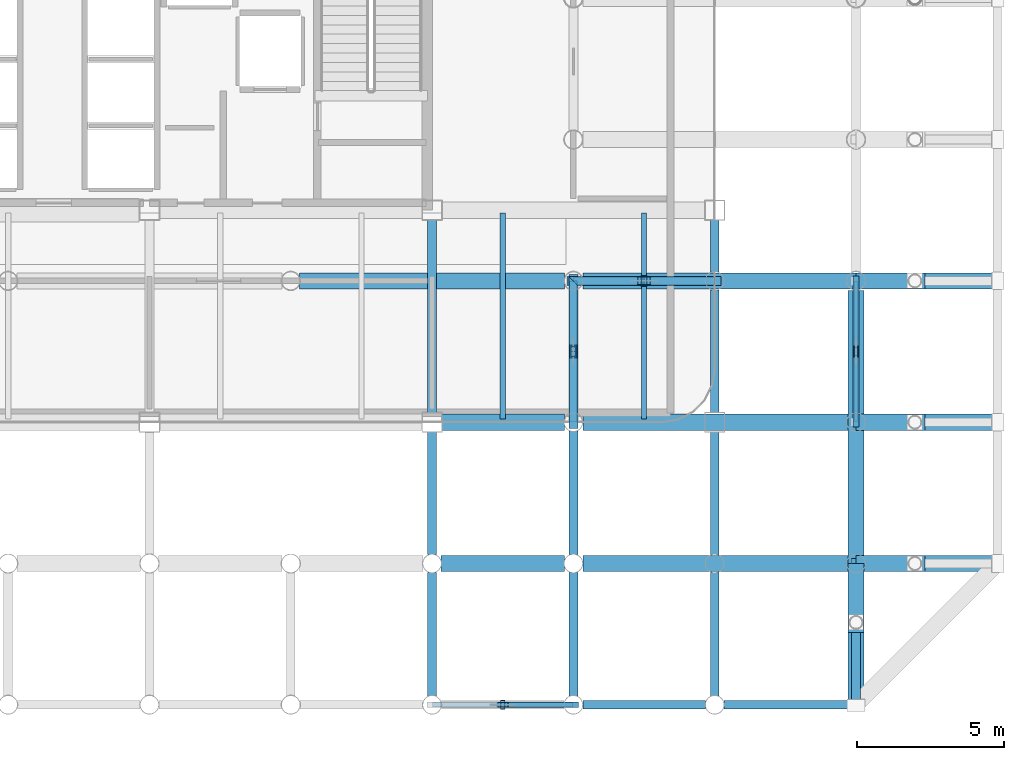
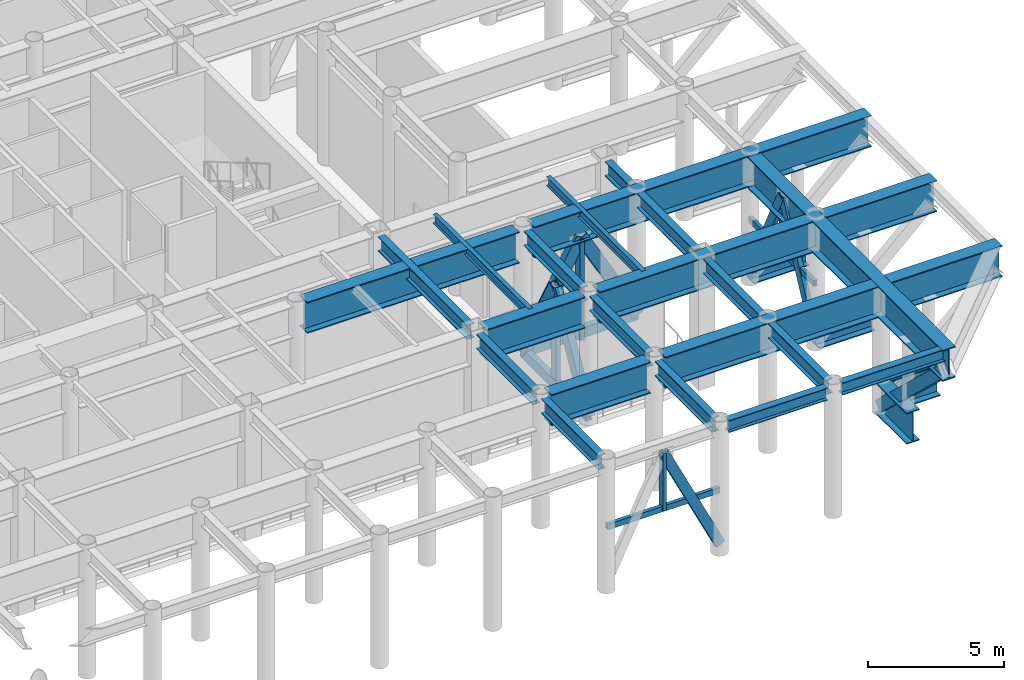
# One storey, part 7 of 20: 25 beams, 16 members.
"""IFC4 building model written with IfcOpenShell, lengths in metres."""

from ifc_helpers import new_model, si_unit, direction, frame, origin, origin_2d, place, context, subcontext, project, spatial, hollow_rectangle, i_section, extrude, material, material_profile, profile_set, type_object, element, save


model = new_model("IFC4")

# Units and contexts
model_context = context("Model", 3, precision=1e-05, world=origin(), true_north=direction((0.0, 1.0)))
body_context = subcontext(model_context, "Body", "Model", "MODEL_VIEW")
ifc_project = project(units=[si_unit("LENGTHUNIT", "METRE"), si_unit("AREAUNIT", "SQUARE_METRE"), si_unit("VOLUMEUNIT", "CUBIC_METRE"), si_unit("PLANEANGLEUNIT", "RADIAN"), si_unit("MASSUNIT", "GRAM", prefix="KILO")], contexts=[model_context])

# Site, building, storey
site_placement = place(None, origin())
site = spatial("IfcSite", under=ifc_project, at=site_placement, CompositionType="ELEMENT")
building_placement = place(site_placement, origin())
building = spatial("IfcBuilding", under=site, at=building_placement, Name="Kallvorn Hotel Tower", CompositionType="ELEMENT")
storey_placement = place(building_placement, frame((0.0, 0.0, 185.5)))
storey = spatial("IfcBuildingStorey", under=building, at=storey_placement, Name="L46", CompositionType="ELEMENT", Elevation=185.5)

# Beams
ifc_material_1 = material(Name="Structural steel S355JR", Category="steel")
ifc_material_profile_1 = material_profile(ifc_material_1, i_section(OverallWidth=0.300048828125, OverallDepth=0.550048828125, WebThickness=0.014892578125, FlangeThickness=0.029052734375, at=origin_2d()), Name="HE 550 B")
ifc_profile_set_1 = profile_set([ifc_material_profile_1], Name="Structural steel S355JR")
beam_type_1 = type_object("IfcBeamType", Name="BM_HE550B", PredefinedType="SPANDREL", material=ifc_profile_set_1)
beam_1_placement = place(storey_placement, frame((19.52001953125, -24.0, 5.544921875), z_axis=(1.0, 0.0, 0.0), x_axis=(0.0, 1.0, 0.0)))
element("IfcBeam", 1, at=beam_1_placement, inside=storey, type_object=beam_type_1, Name="L47 Perimeter Spandrel 169", PredefinedType="SPANDREL", context=body_context, shape_type="SweptSolid", body=[
    extrude(i_section(OverallWidth=0.300048828125, OverallDepth=0.550048828125, WebThickness=0.014892578125, FlangeThickness=0.029052734375, at=origin_2d()), origin(), (0.0, 0.0, 1.0), 4.159912109375),
])
beam_2_placement = place(storey_placement, frame((24.320068359375, -24.0, 5.544921875), z_axis=(1.0, 0.0, 0.0), x_axis=(0.0, 1.0, 0.0)))
element("IfcBeam", 2, at=beam_2_placement, inside=storey, type_object=beam_type_1, Name="L47 Perimeter Spandrel 170", PredefinedType="SPANDREL", context=body_context, shape_type="SweptSolid", body=[
    extrude(i_section(OverallWidth=0.300048828125, OverallDepth=0.550048828125, WebThickness=0.014892578125, FlangeThickness=0.029052734375, at=origin_2d()), origin(), (0.0, 0.0, 1.0), 4.329833984375),
])
ifc_material_2 = material(Name="Structural steel S355JR", Category="steel")
ifc_material_profile_2 = material_profile(ifc_material_2, i_section(OverallWidth=0.300048828125, OverallDepth=0.64990234375, WebThickness=0.01611328125, FlangeThickness=0.031005859375, at=origin_2d()), Name="HE 650 B")
ifc_profile_set_2 = profile_set([ifc_material_profile_2], Name="Structural steel S355JR")
beam_type_2 = type_object("IfcBeamType", Name="BM_HE650B", PredefinedType="BEAM", material=ifc_profile_set_2)
beam_3_placement = place(storey_placement, frame((14.39990234375, -23.695068359375, 5.4951171875), z_axis=(0.0, 1.0, 0.0), x_axis=(-1.0, 0.0, 0.0)))
element("IfcBeam", 3, at=beam_3_placement, inside=storey, type_object=beam_type_2, Name="L47 Primary Y-Girder 131", PredefinedType="BEAM", context=body_context, shape_type="SweptSolid", body=[
    extrude(i_section(OverallWidth=0.300048828125, OverallDepth=0.64990234375, WebThickness=0.01611328125, FlangeThickness=0.031005859375, at=origin_2d()), origin(), (0.0, 0.0, 1.0), 4.190185546875),
])
beam_4_placement = place(storey_placement, frame((14.39990234375, -18.89501953125, 5.4951171875), z_axis=(0.0, 1.0, 0.0), x_axis=(-1.0, 0.0, 0.0)))
element("IfcBeam", 4, at=beam_4_placement, inside=storey, type_object=beam_type_2, Name="L47 Primary Y-Girder 132", PredefinedType="BEAM", context=body_context, shape_type="SweptSolid", body=[
    extrude(i_section(OverallWidth=0.300048828125, OverallDepth=0.64990234375, WebThickness=0.01611328125, FlangeThickness=0.031005859375, at=origin_2d()), origin(), (0.0, 0.0, 1.0), 4.169921875),
])
beam_5_placement = place(storey_placement, frame((14.39990234375, -14.074951171875, 5.4951171875), z_axis=(0.0, 1.0, 0.0), x_axis=(-1.0, 0.0, 0.0)))
element("IfcBeam", 5, at=beam_5_placement, inside=storey, type_object=beam_type_2, Name="L47 Primary Y-Girder 133", PredefinedType="BEAM", context=body_context, shape_type="SweptSolid", body=[
    extrude(i_section(OverallWidth=0.300048828125, OverallDepth=0.64990234375, WebThickness=0.01611328125, FlangeThickness=0.031005859375, at=origin_2d()), origin(), (0.0, 0.0, 1.0), 6.550048828125),
])
beam_6_placement = place(storey_placement, frame((19.199951171875, -23.695068359375, 5.4951171875), z_axis=(0.0, 1.0, 0.0), x_axis=(-1.0, 0.0, 0.0)))
element("IfcBeam", 6, at=beam_6_placement, inside=storey, type_object=beam_type_2, Name="L47 Primary Y-Girder 136", PredefinedType="BEAM", context=body_context, shape_type="SweptSolid", body=[
    extrude(i_section(OverallWidth=0.300048828125, OverallDepth=0.64990234375, WebThickness=0.01611328125, FlangeThickness=0.031005859375, at=origin_2d()), origin(), (0.0, 0.0, 1.0), 4.190185546875),
])
for number, where, z_axis, x_axis, name in (
    (7, (19.199951171875, -18.89501953125, 5.4951171875), (0.0, 1.0, 0.0), (-1.0, 0.0, 0.0), "L47 Primary Y-Girder 137"),
    (8, (19.199951171875, -14.094970703125, 5.4951171875), (0.0, 1.0, 0.0), (-1.0, 0.0, 0.0), "L47 Primary Y-Girder 138"),
):
    element("IfcBeam", number, at=place(storey_placement, frame(where, z_axis=z_axis, x_axis=x_axis)), inside=storey, type_object=beam_type_2, Name=name, PredefinedType="BEAM", context=body_context, shape_type="SweptSolid", body=[
        extrude(i_section(OverallWidth=0.300048828125, OverallDepth=0.64990234375, WebThickness=0.01611328125, FlangeThickness=0.031005859375, at=origin_2d()), origin(), (0.0, 0.0, 1.0), 4.18994140625),
    ])
beam_7_placement = place(storey_placement, frame((24.0, -23.695068359375, 5.4951171875), z_axis=(0.0, 1.0, 0.0), x_axis=(-1.0, 0.0, 0.0)))
element("IfcBeam", 9, at=beam_7_placement, inside=storey, type_object=beam_type_2, Name="L47 Primary Y-Girder 145", PredefinedType="BEAM", context=body_context, shape_type="SweptSolid", body=[
    extrude(i_section(OverallWidth=0.300048828125, OverallDepth=0.64990234375, WebThickness=0.01611328125, FlangeThickness=0.031005859375, at=origin_2d()), origin(), (0.0, 0.0, 1.0), 4.190185546875),
])
for number, where, z_axis, x_axis, name in (
    (10, (24.0, -18.89501953125, 5.4951171875), (0.0, 1.0, 0.0), (-1.0, 0.0, 0.0), "L47 Primary Y-Girder 146"),
    (11, (24.0, -14.074951171875, 5.4951171875), (0.0, 1.0, 0.0), (-1.0, 0.0, 0.0), "L47 Primary Y-Girder 147"),
):
    element("IfcBeam", number, at=place(storey_placement, frame(where, z_axis=z_axis, x_axis=x_axis)), inside=storey, type_object=beam_type_2, Name=name, PredefinedType="BEAM", context=body_context, shape_type="SweptSolid", body=[
        extrude(i_section(OverallWidth=0.300048828125, OverallDepth=0.64990234375, WebThickness=0.01611328125, FlangeThickness=0.031005859375, at=origin_2d()), origin(), (0.0, 0.0, 1.0), 4.169921875),
    ])
beam_8_placement = place(storey_placement, frame((24.0, -9.294921875, 5.4951171875), z_axis=(0.0, 1.0, 0.0), x_axis=(-1.0, 0.0, 0.0)))
element("IfcBeam", 12, at=beam_8_placement, inside=storey, type_object=beam_type_2, Name="L47 Primary Y-Girder 148", PredefinedType="BEAM", context=body_context, shape_type="SweptSolid", body=[
    extrude(i_section(OverallWidth=0.300048828125, OverallDepth=0.64990234375, WebThickness=0.01611328125, FlangeThickness=0.031005859375, at=origin_2d()), origin(), (0.0, 0.0, 1.0), 1.77001953125),
])
ifc_material_3 = material(Name="Structural steel S355JR", Category="steel")
ifc_material_profile_3 = material_profile(ifc_material_3, i_section(OverallWidth=0.179931640625, OverallDepth=0.39990234375, WebThickness=0.008544921875, FlangeThickness=0.013427734375, at=origin_2d()), Name="IPE 400")
ifc_profile_set_3 = profile_set([ifc_material_profile_3], Name="Structural steel S355JR")
beam_type_3 = type_object("IfcBeamType", Name="BM_IPE400", PredefinedType="JOIST", material=ifc_profile_set_3)
for number, where, z_axis, x_axis, name in (
    (13, (16.800048828125, -14.300048828125, 5.6201171875), (0.0, 1.0, 0.0), (-1.0, 0.0, 0.0), "L47 Secondary Composite Joist 215"),
    (14, (21.60009765625, -14.300048828125, 5.6201171875), (0.0, 1.0, 0.0), (-1.0, 0.0, 0.0), "L47 Secondary Composite Joist 217"),
):
    element("IfcBeam", number, at=place(storey_placement, frame(where, z_axis=z_axis, x_axis=x_axis)), inside=storey, type_object=beam_type_3, Name=name, PredefinedType="JOIST", context=body_context, shape_type="SweptSolid", body=[
        extrude(i_section(OverallWidth=0.179931640625, OverallDepth=0.39990234375, WebThickness=0.008544921875, FlangeThickness=0.013427734375, at=origin_2d()), origin(), (0.0, 0.0, 1.0), 7.0),
    ])
ifc_material_4 = material(Name="Structural steel S355JR", Category="steel")
ifc_material_profile_4 = material_profile(ifc_material_4, i_section(OverallWidth=0.550048828125, OverallDepth=1.39990234375, WebThickness=0.02490234375, FlangeThickness=0.044921875, at=origin_2d()), Name="PG 1400x550x25x45")
ifc_profile_set_4 = profile_set([ifc_material_profile_4], Name="Structural steel S355JR")
beam_type_4 = type_object("IfcBeamType", Name="BM_PG_1400", PredefinedType="BEAM", material=ifc_profile_set_4)
beam_9_placement = place(storey_placement, frame((28.800048828125, -9.919921875, 5.1201171875), z_axis=(0.0, -1.0, 0.0), x_axis=(1.0, 0.0, 0.0)))
element("IfcBeam", 15, at=beam_9_placement, inside=storey, type_object=beam_type_4, Name="L47 Continuous Cantilever Transfer Girder 01", PredefinedType="BEAM", context=body_context, shape_type="SweptSolid", body=[
    extrude(i_section(OverallWidth=0.550048828125, OverallDepth=1.39990234375, WebThickness=0.02490234375, FlangeThickness=0.044921875, at=origin_2d()), origin(), (0.0, 0.0, 1.0), 14.260009765625),
])
beam_10_placement = place(storey_placement, frame((28.800048828125, -19.199951171875, 0.719970703125), z_axis=(0.0, -1.0, 0.0), x_axis=(1.0, 0.0, 0.0)))
element("IfcBeam", 16, at=beam_10_placement, inside=storey, type_object=beam_type_4, Name="L47 Cantilever Haunch Corbel 01", PredefinedType="BEAM", context=body_context, shape_type="SweptSolid", body=[
    extrude(i_section(OverallWidth=0.550048828125, OverallDepth=1.39990234375, WebThickness=0.02490234375, FlangeThickness=0.044921875, at=origin_2d()), origin(), (0.0, 0.0, 1.0), 2.35009765625),
])
beam_11_placement = place(storey_placement, frame((19.52001953125, -19.199951171875, 5.1201171875), z_axis=(1.0, 0.0, 0.0), x_axis=(0.0, 1.0, 0.0)))
element("IfcBeam", 17, at=beam_11_placement, inside=storey, type_object=beam_type_4, Name="L47 Continuous Cantilever Transfer Girder 02", PredefinedType="BEAM", context=body_context, shape_type="SweptSolid", body=[
    extrude(i_section(OverallWidth=0.550048828125, OverallDepth=1.39990234375, WebThickness=0.02490234375, FlangeThickness=0.044921875, at=origin_2d()), origin(), (0.0, 0.0, 1.0), 14.260009765625),
])
beam_12_placement = place(storey_placement, frame((28.800048828125, -19.199951171875, 0.719970703125), z_axis=(1.0, 0.0, 0.0), x_axis=(0.0, 1.0, 0.0)))
element("IfcBeam", 18, at=beam_12_placement, inside=storey, type_object=beam_type_4, Name="L47 Cantilever Haunch Corbel 02", PredefinedType="BEAM", context=body_context, shape_type="SweptSolid", body=[
    extrude(i_section(OverallWidth=0.550048828125, OverallDepth=1.39990234375, WebThickness=0.02490234375, FlangeThickness=0.044921875, at=origin_2d()), origin(), (0.0, 0.0, 1.0), 2.349853515625),
])
beam_13_placement = place(storey_placement, frame((19.52001953125, -14.39990234375, 5.1201171875), z_axis=(1.0, 0.0, 0.0), x_axis=(0.0, 1.0, 0.0)))
element("IfcBeam", 19, at=beam_13_placement, inside=storey, type_object=beam_type_4, Name="L47 Continuous Cantilever Transfer Girder 03", PredefinedType="BEAM", context=body_context, shape_type="SweptSolid", body=[
    extrude(i_section(OverallWidth=0.550048828125, OverallDepth=1.39990234375, WebThickness=0.02490234375, FlangeThickness=0.044921875, at=origin_2d()), origin(), (0.0, 0.0, 1.0), 14.260009765625),
])
beam_14_placement = place(storey_placement, frame((28.800048828125, -14.39990234375, 0.719970703125), z_axis=(1.0, 0.0, 0.0), x_axis=(0.0, 1.0, 0.0)))
element("IfcBeam", 20, at=beam_14_placement, inside=storey, type_object=beam_type_4, Name="L47 Cantilever Haunch Corbel 03", PredefinedType="BEAM", context=body_context, shape_type="SweptSolid", body=[
    extrude(i_section(OverallWidth=0.550048828125, OverallDepth=1.39990234375, WebThickness=0.02490234375, FlangeThickness=0.044921875, at=origin_2d()), origin(), (0.0, 0.0, 1.0), 2.349853515625),
])
beam_15_placement = place(storey_placement, frame((19.52001953125, -9.60009765625, 5.1201171875), z_axis=(1.0, 0.0, 0.0), x_axis=(0.0, 1.0, 0.0)))
element("IfcBeam", 21, at=beam_15_placement, inside=storey, type_object=beam_type_4, Name="L47 Continuous Cantilever Transfer Girder 04", PredefinedType="BEAM", context=body_context, shape_type="SweptSolid", body=[
    extrude(i_section(OverallWidth=0.550048828125, OverallDepth=1.39990234375, WebThickness=0.02490234375, FlangeThickness=0.044921875, at=origin_2d()), origin(), (0.0, 0.0, 1.0), 14.260009765625),
])
beam_16_placement = place(storey_placement, frame((28.800048828125, -9.60009765625, 0.719970703125), z_axis=(1.0, 0.0, 0.0), x_axis=(0.0, 1.0, 0.0)))
element("IfcBeam", 22, at=beam_16_placement, inside=storey, type_object=beam_type_4, Name="L47 Cantilever Haunch Corbel 04", PredefinedType="BEAM", context=body_context, shape_type="SweptSolid", body=[
    extrude(i_section(OverallWidth=0.550048828125, OverallDepth=1.39990234375, WebThickness=0.02490234375, FlangeThickness=0.044921875, at=origin_2d()), origin(), (0.0, 0.0, 1.0), 2.349853515625),
])
beam_17_placement = place(storey_placement, frame((14.705078125, -19.199951171875, 5.1201171875), z_axis=(1.0, 0.0, 0.0), x_axis=(0.0, 1.0, 0.0)))
element("IfcBeam", 23, at=beam_17_placement, inside=storey, type_object=beam_type_4, Name="L47 Primary X-Girder 20", PredefinedType="BEAM", context=body_context, shape_type="SweptSolid", body=[
    extrude(i_section(OverallWidth=0.550048828125, OverallDepth=1.39990234375, WebThickness=0.02490234375, FlangeThickness=0.044921875, at=origin_2d()), origin(), (0.0, 0.0, 1.0), 4.18994140625),
])
beam_18_placement = place(storey_placement, frame((14.72509765625, -14.39990234375, 5.1201171875), z_axis=(1.0, 0.0, 0.0), x_axis=(0.0, 1.0, 0.0)))
element("IfcBeam", 24, at=beam_18_placement, inside=storey, type_object=beam_type_4, Name="L47 Primary X-Girder 30", PredefinedType="BEAM", context=body_context, shape_type="SweptSolid", body=[
    extrude(i_section(OverallWidth=0.550048828125, OverallDepth=1.39990234375, WebThickness=0.02490234375, FlangeThickness=0.044921875, at=origin_2d()), origin(), (0.0, 0.0, 1.0), 4.169921875),
])
beam_19_placement = place(storey_placement, frame((9.905029296875, -9.60009765625, 5.1201171875), z_axis=(1.0, 0.0, 0.0), x_axis=(0.0, 1.0, 0.0)))
element("IfcBeam", 25, at=beam_19_placement, inside=storey, type_object=beam_type_4, Name="L47 Primary X-Girder 39", PredefinedType="BEAM", context=body_context, shape_type="SweptSolid", body=[
    extrude(i_section(OverallWidth=0.550048828125, OverallDepth=1.39990234375, WebThickness=0.02490234375, FlangeThickness=0.044921875, at=origin_2d()), origin(), (0.0, 0.0, 1.0), 8.989990234375),
])

# Members
ifc_material_5 = material(Name="Structural steel S355J2H", Category="steel")
ifc_material_profile_5 = material_profile(ifc_material_5, hollow_rectangle(XDim=0.199951171875, YDim=0.39990234375, WallThickness=0.02001953125, at=origin_2d()), Name="RHS 400x200x20")
ifc_profile_set_5 = profile_set([ifc_material_profile_5], Name="Structural steel S355J2H")
member_type_1 = type_object("IfcMemberType", Name="MBR_BELT_RHS400", PredefinedType="BRACE", material=ifc_profile_set_5)
for number, where, z_axis, x_axis, name in (
    (26, (19.191162109375, -24.0, 0.367919921875), (-0.439131031257, 0.0, 0.898423028081), (0.0, -1.0, 0.0), "L46 Belt Truss Diagonal 2B"),
    (27, (28.800048828125, -14.39111328125, 0.367919921875), (0.0, 0.439131031257, 0.898423028081), (-1.0, 0.0, 0.0), "L46 Belt Truss Diagonal 7A"),
    (28, (28.800048828125, -9.60888671875, 0.367919921875), (0.0, -0.439131031257, 0.898423028081), (1.0, 0.0, 0.0), "L46 Belt Truss Diagonal 7B"),
):
    element("IfcMember", number, at=place(storey_placement, frame(where, z_axis=z_axis, x_axis=x_axis)), inside=storey, type_object=member_type_1, Name=name, PredefinedType="BRACE", context=body_context, shape_type="SweptSolid", body=[
        extrude(hollow_rectangle(XDim=0.199951171875, YDim=0.39990234375, WallThickness=0.02001953125, at=origin_2d()), origin(), (0.0, 0.0, 1.0), 5.425048828125),
    ])
ifc_material_6 = material(Name="Structural steel S355J2H", Category="steel")
ifc_material_profile_6 = material_profile(ifc_material_6, hollow_rectangle(XDim=0.25, YDim=0.449951171875, WallThickness=0.02197265625, at=origin_2d()), Name="RHS 450x250x22")
ifc_profile_set_6 = profile_set([ifc_material_profile_6], Name="Structural steel S355J2H")
member_type_2 = type_object("IfcMemberType", Name="MBR_CHORD_RHS450", PredefinedType="CHORD", material=ifc_profile_set_6)
member_1_placement = place(storey_placement, frame((19.199951171875, -9.60009765625, 0.239990234375), z_axis=(1.0, 0.0, 0.0), x_axis=(0.0, 1.0, 0.0)))
element("IfcMember", 29, at=member_1_placement, inside=storey, type_object=member_type_2, Name="L46 Outrigger Truss Bottom Chord OTE1", PredefinedType="CHORD", context=body_context, shape_type="SweptSolid", body=[
    extrude(hollow_rectangle(XDim=0.25, YDim=0.449951171875, WallThickness=0.02197265625, at=origin_2d()), origin(), (0.0, 0.0, 1.0), 4.800048828125),
])
member_2_placement = place(storey_placement, frame((19.199951171875, -14.39990234375, 0.239990234375), z_axis=(0.0, 1.0, 0.0), x_axis=(-1.0, 0.0, 0.0)))
element("IfcMember", 30, at=member_2_placement, inside=storey, type_object=member_type_2, Name="L46 Outrigger Truss Bottom Chord OTS2", PredefinedType="CHORD", context=body_context, shape_type="SweptSolid", body=[
    extrude(hollow_rectangle(XDim=0.25, YDim=0.449951171875, WallThickness=0.02197265625, at=origin_2d()), origin(), (0.0, 0.0, 1.0), 4.7998046875),
])
ifc_material_7 = material(Name="Structural steel S355J2H", Category="steel")
ifc_material_profile_7 = material_profile(ifc_material_7, hollow_rectangle(XDim=0.14990234375, YDim=0.25, WallThickness=0.010009765625, at=origin_2d()), Name="RHS 250x150x10")
ifc_profile_set_7 = profile_set([ifc_material_profile_7], Name="Structural steel S355J2H")
member_type_3 = type_object("IfcMemberType", Name="MBR_COLLAR_RHS250", PredefinedType="COLLAR", material=ifc_profile_set_7)
member_3_placement = place(storey_placement, frame((14.419921875, -24.0, 2.784912109375), z_axis=(1.0, 0.0, 0.0), x_axis=(0.0, 1.0, 0.0)))
element("IfcMember", 31, at=member_3_placement, inside=storey, type_object=member_type_3, Name="L46 Belt Truss Tie Collar 2", PredefinedType="COLLAR", context=body_context, shape_type="SweptSolid", body=[
    extrude(hollow_rectangle(XDim=0.14990234375, YDim=0.25, WallThickness=0.010009765625, at=origin_2d()), origin(), (0.0, 0.0, 1.0), 4.760009765625),
])
member_4_placement = place(storey_placement, frame((28.800048828125, -14.3798828125, 2.784912109375), z_axis=(0.0, 1.0, 0.0), x_axis=(-1.0, 0.0, 0.0)))
element("IfcMember", 32, at=member_4_placement, inside=storey, type_object=member_type_3, Name="L46 Belt Truss Tie Collar 7", PredefinedType="COLLAR", context=body_context, shape_type="SweptSolid", body=[
    extrude(hollow_rectangle(XDim=0.14990234375, YDim=0.25, WallThickness=0.010009765625, at=origin_2d()), origin(), (0.0, 0.0, 1.0), 4.759765625),
])
ifc_material_8 = material(Name="Structural steel S355J2H", Category="steel")
ifc_material_profile_8 = material_profile(ifc_material_8, hollow_rectangle(XDim=0.300048828125, YDim=0.5, WallThickness=0.02490234375, at=origin_2d()), Name="RHS 500x300x25")
ifc_profile_set_8 = profile_set([ifc_material_profile_8], Name="Structural steel S355J2H")
member_type_4 = type_object("IfcMemberType", Name="MBR_OUTRIGGER_RHS500", PredefinedType="BRACE", material=ifc_profile_set_8)
member_5_placement = place(storey_placement, frame((28.800048828125, -19.199951171875, 0.25), z_axis=(0.0, -0.728023860888, 0.685551790879), x_axis=(1.0, 0.0, 0.0)))
element("IfcMember", 33, at=member_5_placement, inside=storey, type_object=member_type_4, Name="L47 Exoskeleton Cantilever Raking Strut 01", PredefinedType="BRACE", context=body_context, shape_type="SweptSolid", body=[
    extrude(hollow_rectangle(XDim=0.300048828125, YDim=0.5, WallThickness=0.02490234375, at=origin_2d()), origin(), (0.0, 0.0, 1.0), 6.59326171875),
])
member_6_placement = place(storey_placement, frame((19.199951171875, -9.60009765625, 0.239990234375), z_axis=(0.485659708735, 0.0, 0.874147955046), x_axis=(0.0, 1.0, 0.0)))
element("IfcMember", 34, at=member_6_placement, inside=storey, type_object=member_type_4, Name="L46 Outrigger Truss Diagonal OTE1A", PredefinedType="BRACE", context=body_context, shape_type="SweptSolid", body=[
    extrude(hollow_rectangle(XDim=0.300048828125, YDim=0.5, WallThickness=0.02490234375, at=origin_2d()), origin(), (0.0, 0.0, 1.0), 4.942138671875),
])
for number, where, z_axis, x_axis, name in (
    (35, (24.0, -9.60009765625, 0.239990234375), (-0.485621958479, 0.0, 0.874168927292), (0.0, -1.0, 0.0), "L46 Outrigger Truss Diagonal OTE1B"),
    (36, (19.199951171875, -14.39990234375, 0.239990234375), (0.0, 0.485621958479, 0.874168927292), (-1.0, 0.0, 0.0), "L46 Outrigger Truss Diagonal OTS2A"),
    (37, (19.199951171875, -9.60009765625, 0.239990234375), (0.0, -0.485621958479, 0.874168927292), (1.0, 0.0, 0.0), "L46 Outrigger Truss Diagonal OTS2B"),
):
    element("IfcMember", number, at=place(storey_placement, frame(where, z_axis=z_axis, x_axis=x_axis)), inside=storey, type_object=member_type_4, Name=name, PredefinedType="BRACE", context=body_context, shape_type="SweptSolid", body=[
        extrude(hollow_rectangle(XDim=0.300048828125, YDim=0.5, WallThickness=0.02490234375, at=origin_2d()), origin(), (0.0, 0.0, 1.0), 4.94189453125),
    ])
ifc_material_9 = material(Name="Structural steel S355J2H", Category="steel")
ifc_material_profile_9 = material_profile(ifc_material_9, hollow_rectangle(XDim=0.199951171875, YDim=0.35009765625, WallThickness=0.01611328125, at=origin_2d()), Name="RHS 350x200x16")
ifc_profile_set_9 = profile_set([ifc_material_profile_9], Name="Structural steel S355J2H")
member_type_5 = type_object("IfcMemberType", Name="MBR_POST_RHS350", PredefinedType="POST", material=ifc_profile_set_9)
for number, where, z_axis, x_axis, name in (
    (38, (21.60009765625, -9.60009765625, -0.0400390625), (0.0, 0.0, 1.0), (1.0, 0.0, 0.0), "L46 Outrigger Truss Post OTE1"),
    (39, (19.199951171875, -12.0, -0.0400390625), (0.0, 0.0, 1.0), (1.0, 0.0, 0.0), "L46 Outrigger Truss Post OTS2"),
):
    element("IfcMember", number, at=place(storey_placement, frame(where, z_axis=z_axis, x_axis=x_axis)), inside=storey, type_object=member_type_5, Name=name, PredefinedType="POST", context=body_context, shape_type="SweptSolid", body=[
        extrude(hollow_rectangle(XDim=0.199951171875, YDim=0.35009765625, WallThickness=0.01611328125, at=origin_2d()), origin(), (0.0, 0.0, 1.0), 4.5400390625),
    ])
ifc_material_10 = material(Name="Structural steel S355J2H", Category="steel")
ifc_material_profile_10 = material_profile(ifc_material_10, hollow_rectangle(XDim=0.14990234375, YDim=0.300048828125, WallThickness=0.012451171875, at=origin_2d()), Name="RHS 300x150x12.5")
ifc_profile_set_10 = profile_set([ifc_material_profile_10], Name="Structural steel S355J2H")
member_type_6 = type_object("IfcMemberType", Name="MBR_STRUT_RHS300", PredefinedType="STRUT", material=ifc_profile_set_10)
for number, where, z_axis, x_axis, name in (
    (40, (16.800048828125, -24.0, 2.735107421875), (0.0, 0.0, 1.0), (1.0, 0.0, 0.0), "L46 Belt Truss Strut 2"),
    (41, (28.800048828125, -12.0, 2.735107421875), (0.0, 0.0, 1.0), (1.0, 0.0, 0.0), "L46 Belt Truss Strut 7"),
):
    element("IfcMember", number, at=place(storey_placement, frame(where, z_axis=z_axis, x_axis=x_axis)), inside=storey, type_object=member_type_6, Name=name, PredefinedType="STRUT", context=body_context, shape_type="SweptSolid", body=[
        extrude(hollow_rectangle(XDim=0.14990234375, YDim=0.300048828125, WallThickness=0.012451171875, at=origin_2d()), origin(), (0.0, 0.0, 1.0), 2.56494140625),
    ])

save(model, "model.ifc")
